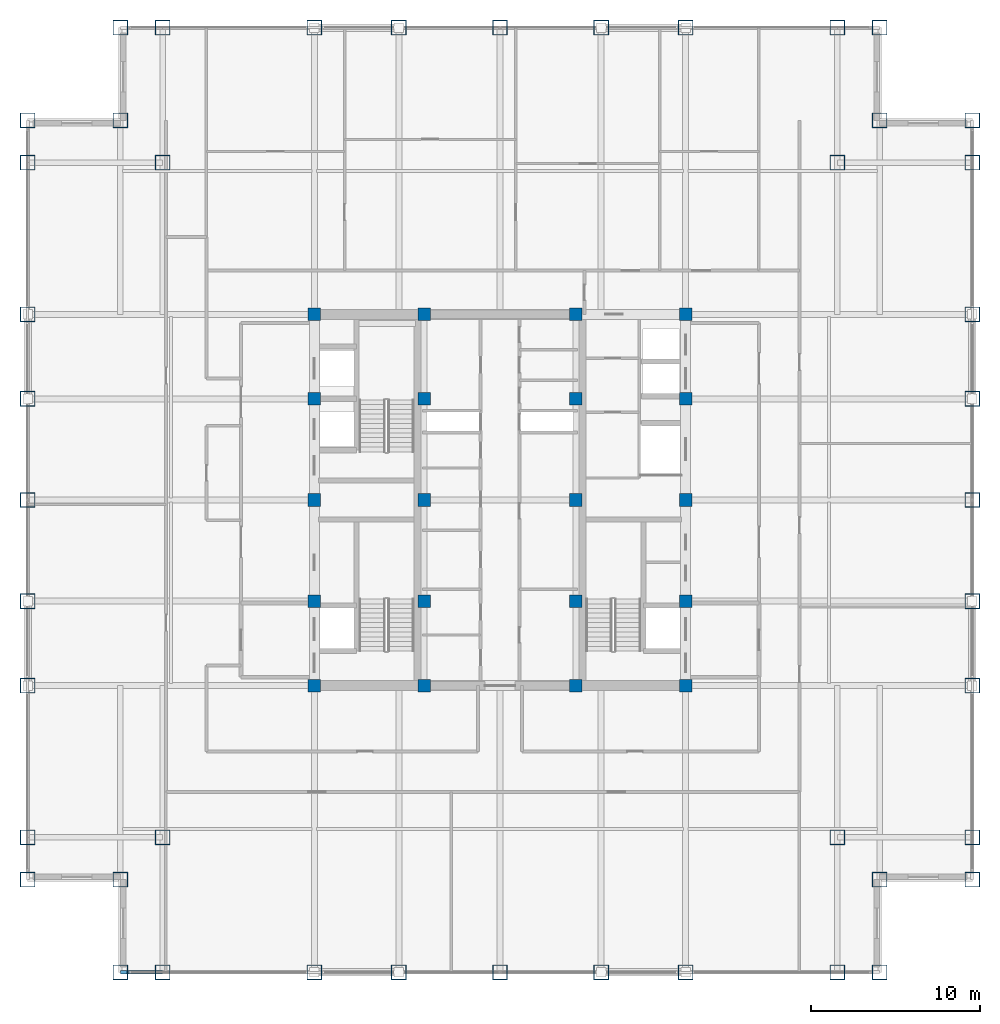
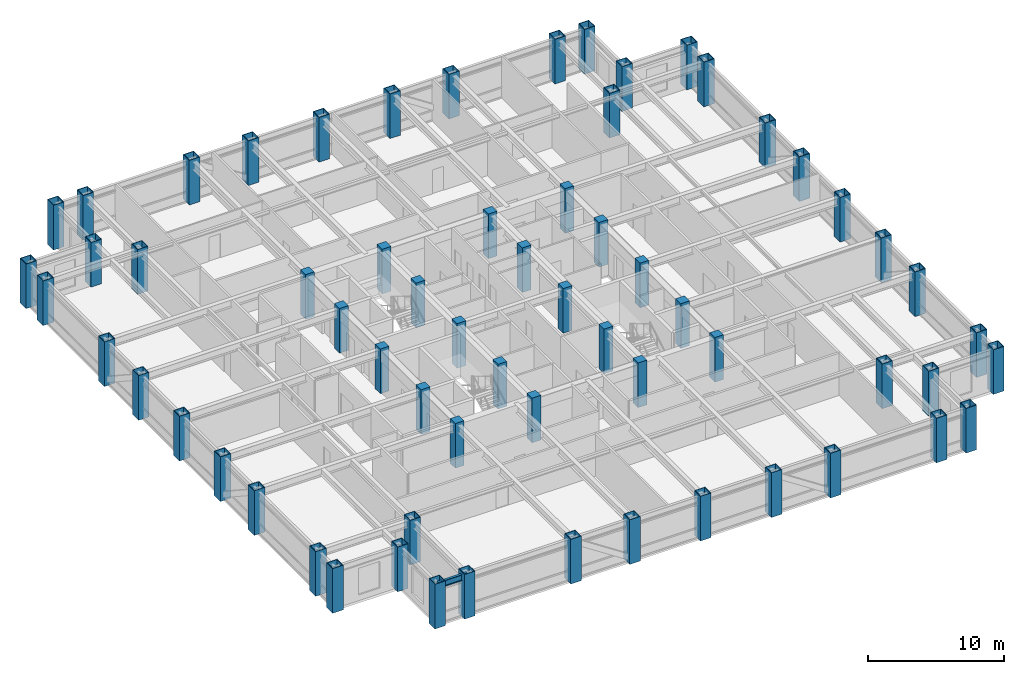
# One storey, part 1 of 22: 64 columns, 1 beam.
"""IFC4 building model written with IfcOpenShell, lengths in metres."""

from ifc_helpers import new_model, si_unit, direction, frame, origin, origin_2d, place, context, subcontext, project, spatial, rectangle, hollow_rectangle, i_section, extrude, source, transform, mapped, material, material_profile, profile_set, type_object, element, save


model = new_model("IFC4")

# Units and contexts
model_context = context("Model", 3, precision=1e-05, world=origin(), true_north=direction((0.0, 1.0)))
body_context = subcontext(model_context, "Body", "Model", "MODEL_VIEW")
ifc_project = project(units=[si_unit("LENGTHUNIT", "METRE"), si_unit("AREAUNIT", "SQUARE_METRE"), si_unit("VOLUMEUNIT", "CUBIC_METRE"), si_unit("PLANEANGLEUNIT", "RADIAN"), si_unit("MASSUNIT", "GRAM", prefix="KILO")], contexts=[model_context])

# Site, building, storey
site_placement = place(None, origin())
site = spatial("IfcSite", under=ifc_project, at=site_placement, CompositionType="ELEMENT")
building_placement = place(site_placement, origin())
building = spatial("IfcBuilding", under=site, at=building_placement, Name="Khorayat Bourse Tower", CompositionType="ELEMENT")
storey_placement = place(building_placement, frame((0.0, 0.0, 305.5)))
storey = spatial("IfcBuildingStorey", under=building, at=storey_placement, Name="L72", CompositionType="ELEMENT", Elevation=305.5)

# Columns
ifc_material_1 = material(Name="Steel EN 10025-4 S460M", Category="steel")
ifc_material_profile_1 = material_profile(ifc_material_1, hollow_rectangle(XDim=0.89990234375, YDim=0.89990234375, WallThickness=0.050048828125, at=origin_2d()), Name="BOX 900x900x50")
ifc_profile_set_1 = profile_set([ifc_material_profile_1], Name="Steel EN 10025-4 S460M")
column_type_1 = type_object("IfcColumnType", Name="COL-TUBE-900", PredefinedType="COLUMN", material=ifc_profile_set_1)
shared_shape_1 = source(origin(), body_context, "Body", "SweptSolid", [
    extrude(hollow_rectangle(XDim=0.89990234375, YDim=0.89990234375, WallThickness=0.050048828125, at=origin_2d()), origin(), (0.0, 0.0, 1.0), 4.0),
])
for number, where, z_axis, x_axis, name in (
    (1, (-28.0, -22.5, 0.0), (0.0, 0.0, 1.0), (1.0, 0.0, 0.0), "L72 Column 001"),
    (2, (-28.0, -20.0, 0.0), (0.0, 0.0, 1.0), (1.0, 0.0, 0.0), "L72 Column 002"),
    (3, (-28.0, -11.0, 0.0), (0.0, 0.0, 1.0), (1.0, 0.0, 0.0), "L72 Column 003"),
    (4, (-28.0, -6.0, 0.0), (0.0, 0.0, 1.0), (1.0, 0.0, 0.0), "L72 Column 004"),
    (5, (-28.0, 0.0, 0.0), (0.0, 0.0, 1.0), (1.0, 0.0, 0.0), "L72 Column 005"),
    (6, (-28.0, 6.0, 0.0), (0.0, 0.0, 1.0), (1.0, 0.0, 0.0), "L72 Column 006"),
    (7, (-28.0, 11.0, 0.0), (0.0, 0.0, 1.0), (1.0, 0.0, 0.0), "L72 Column 007"),
    (8, (-28.0, 20.0, 0.0), (0.0, 0.0, 1.0), (1.0, 0.0, 0.0), "L72 Column 008"),
    (9, (-28.0, 22.5, 0.0), (0.0, 0.0, 1.0), (1.0, 0.0, 0.0), "L72 Column 009"),
    (10, (-22.5, -28.0, 0.0), (0.0, 0.0, 1.0), (1.0, 0.0, 0.0), "L72 Column 010"),
    (11, (-22.5, -22.5, 0.0), (0.0, 0.0, 1.0), (1.0, 0.0, 0.0), "L72 Column 011"),
    (12, (-22.5, 22.5, 0.0), (0.0, 0.0, 1.0), (1.0, 0.0, 0.0), "L72 Column 012"),
    (13, (-22.5, 28.0, 0.0), (0.0, 0.0, 1.0), (1.0, 0.0, 0.0), "L72 Column 013"),
    (14, (-20.0, -28.0, 0.0), (0.0, 0.0, 1.0), (1.0, 0.0, 0.0), "L72 Column 014"),
    (15, (-20.0, -20.0, 0.0), (0.0, 0.0, 1.0), (1.0, 0.0, 0.0), "L72 Column 015"),
    (16, (-20.0, 20.0, 0.0), (0.0, 0.0, 1.0), (1.0, 0.0, 0.0), "L72 Column 016"),
    (17, (-20.0, 28.0, 0.0), (0.0, 0.0, 1.0), (1.0, 0.0, 0.0), "L72 Column 017"),
    (18, (-11.0, -28.0, 0.0), (0.0, 0.0, 1.0), (1.0, 0.0, 0.0), "L72 Column 018"),
    (19, (-11.0, 28.0, 0.0), (0.0, 0.0, 1.0), (1.0, 0.0, 0.0), "L72 Column 024"),
    (20, (-6.0, -28.0, 0.0), (0.0, 0.0, 1.0), (1.0, 0.0, 0.0), "L72 Column 025"),
    (21, (-6.0, 28.0, 0.0), (0.0, 0.0, 1.0), (1.0, 0.0, 0.0), "L72 Column 026"),
    (22, (0.0, -28.0, 0.0), (0.0, 0.0, 1.0), (1.0, 0.0, 0.0), "L72 Column 032"),
    (23, (0.0, 28.0, 0.0), (0.0, 0.0, 1.0), (1.0, 0.0, 0.0), "L72 Column 033"),
    (24, (6.0, -28.0, 0.0), (0.0, 0.0, 1.0), (1.0, 0.0, 0.0), "L72 Column 039"),
    (25, (6.0, 28.0, 0.0), (0.0, 0.0, 1.0), (1.0, 0.0, 0.0), "L72 Column 040"),
    (26, (11.0, -28.0, 0.0), (0.0, 0.0, 1.0), (1.0, 0.0, 0.0), "L72 Column 041"),
    (27, (11.0, 28.0, 0.0), (0.0, 0.0, 1.0), (1.0, 0.0, 0.0), "L72 Column 047"),
    (28, (20.0, -28.0, 0.0), (0.0, 0.0, 1.0), (1.0, 0.0, 0.0), "L72 Column 048"),
    (29, (20.0, -20.0, 0.0), (0.0, 0.0, 1.0), (1.0, 0.0, 0.0), "L72 Column 049"),
    (30, (20.0, 20.0, 0.0), (0.0, 0.0, 1.0), (1.0, 0.0, 0.0), "L72 Column 050"),
    (31, (20.0, 28.0, 0.0), (0.0, 0.0, 1.0), (1.0, 0.0, 0.0), "L72 Column 051"),
    (32, (22.5, -28.0, 0.0), (0.0, 0.0, 1.0), (1.0, 0.0, 0.0), "L72 Column 052"),
    (33, (22.5, -22.5, 0.0), (0.0, 0.0, 1.0), (1.0, 0.0, 0.0), "L72 Column 053"),
    (34, (22.5, 22.5, 0.0), (0.0, 0.0, 1.0), (1.0, 0.0, 0.0), "L72 Column 054"),
    (35, (22.5, 28.0, 0.0), (0.0, 0.0, 1.0), (1.0, 0.0, 0.0), "L72 Column 055"),
    (36, (28.0, -22.5, 0.0), (0.0, 0.0, 1.0), (1.0, 0.0, 0.0), "L72 Column 056"),
    (37, (28.0, -20.0, 0.0), (0.0, 0.0, 1.0), (1.0, 0.0, 0.0), "L72 Column 057"),
    (38, (28.0, -11.0, 0.0), (0.0, 0.0, 1.0), (1.0, 0.0, 0.0), "L72 Column 058"),
    (39, (28.0, -6.0, 0.0), (0.0, 0.0, 1.0), (1.0, 0.0, 0.0), "L72 Column 059"),
    (40, (28.0, 0.0, 0.0), (0.0, 0.0, 1.0), (1.0, 0.0, 0.0), "L72 Column 060"),
    (41, (28.0, 6.0, 0.0), (0.0, 0.0, 1.0), (1.0, 0.0, 0.0), "L72 Column 061"),
    (42, (28.0, 11.0, 0.0), (0.0, 0.0, 1.0), (1.0, 0.0, 0.0), "L72 Column 062"),
    (43, (28.0, 20.0, 0.0), (0.0, 0.0, 1.0), (1.0, 0.0, 0.0), "L72 Column 063"),
    (44, (28.0, 22.5, 0.0), (0.0, 0.0, 1.0), (1.0, 0.0, 0.0), "L72 Column 064"),
):
    element("IfcColumn", number, at=place(storey_placement, frame(where, z_axis=z_axis, x_axis=x_axis)), inside=storey, type_object=column_type_1, Name=name, PredefinedType="COLUMN", context=body_context, shape_type="MappedRepresentation", body=[
        mapped(shared_shape_1, transform((0.0, 0.0, 0.0), scale=1.0)),
    ])
ifc_material_2 = material(Name="Concrete C52/65", Category="concrete")
ifc_material_profile_2 = material_profile(ifc_material_2, rectangle(XDim=0.75, YDim=0.75, at=origin_2d()), Name="RC 750x750")
ifc_profile_set_2 = profile_set([ifc_material_profile_2], Name="Concrete C52/65")
column_type_2 = type_object("IfcColumnType", Name="COL-CORE-750", PredefinedType="COLUMN", material=ifc_profile_set_2)
shared_shape_2 = source(origin(), body_context, "Body", "SweptSolid", [
    extrude(rectangle(XDim=0.75, YDim=0.75, at=origin_2d()), origin(), (0.0, 0.0, 1.0), 4.0),
])
for number, where, z_axis, x_axis, name in (
    (45, (-11.0, -11.0, 0.0), (0.0, 0.0, 1.0), (1.0, 0.0, 0.0), "L72 Column 019"),
    (46, (-11.0, -6.0, 0.0), (0.0, 0.0, 1.0), (1.0, 0.0, 0.0), "L72 Column 020"),
    (47, (-11.0, 0.0, 0.0), (0.0, 0.0, 1.0), (1.0, 0.0, 0.0), "L72 Column 021"),
    (48, (-11.0, 6.0, 0.0), (0.0, 0.0, 1.0), (1.0, 0.0, 0.0), "L72 Column 022"),
    (49, (-11.0, 11.0, 0.0), (0.0, 0.0, 1.0), (1.0, 0.0, 0.0), "L72 Column 023"),
    (50, (-4.5, -11.0, 0.0), (0.0, 0.0, 1.0), (1.0, 0.0, 0.0), "L72 Column 027"),
    (51, (-4.5, -6.0, 0.0), (0.0, 0.0, 1.0), (1.0, 0.0, 0.0), "L72 Column 028"),
    (52, (-4.5, 0.0, 0.0), (0.0, 0.0, 1.0), (1.0, 0.0, 0.0), "L72 Column 029"),
    (53, (-4.5, 6.0, 0.0), (0.0, 0.0, 1.0), (1.0, 0.0, 0.0), "L72 Column 030"),
    (54, (-4.5, 11.0, 0.0), (0.0, 0.0, 1.0), (1.0, 0.0, 0.0), "L72 Column 031"),
    (55, (4.5, -11.0, 0.0), (0.0, 0.0, 1.0), (1.0, 0.0, 0.0), "L72 Column 034"),
    (56, (4.5, -6.0, 0.0), (0.0, 0.0, 1.0), (1.0, 0.0, 0.0), "L72 Column 035"),
    (57, (4.5, 0.0, 0.0), (0.0, 0.0, 1.0), (1.0, 0.0, 0.0), "L72 Column 036"),
    (58, (4.5, 6.0, 0.0), (0.0, 0.0, 1.0), (1.0, 0.0, 0.0), "L72 Column 037"),
    (59, (4.5, 11.0, 0.0), (0.0, 0.0, 1.0), (1.0, 0.0, 0.0), "L72 Column 038"),
    (60, (11.0, -11.0, 0.0), (0.0, 0.0, 1.0), (1.0, 0.0, 0.0), "L72 Column 042"),
    (61, (11.0, -6.0, 0.0), (0.0, 0.0, 1.0), (1.0, 0.0, 0.0), "L72 Column 043"),
    (62, (11.0, 0.0, 0.0), (0.0, 0.0, 1.0), (1.0, 0.0, 0.0), "L72 Column 044"),
    (63, (11.0, 6.0, 0.0), (0.0, 0.0, 1.0), (1.0, 0.0, 0.0), "L72 Column 045"),
    (64, (11.0, 11.0, 0.0), (0.0, 0.0, 1.0), (1.0, 0.0, 0.0), "L72 Column 046"),
):
    element("IfcColumn", number, at=place(storey_placement, frame(where, z_axis=z_axis, x_axis=x_axis)), inside=storey, type_object=column_type_2, Name=name, PredefinedType="COLUMN", context=body_context, shape_type="MappedRepresentation", body=[
        mapped(shared_shape_2, transform((0.0, 0.0, 0.0), scale=1.0)),
    ])

# Beam
ifc_material_3 = material(Name="Steel ASTM A992 Grade 50", Category="steel")
ifc_material_profile_3 = material_profile(ifc_material_3, i_section(OverallWidth=0.214111328125, OverallDepth=0.549072265625, WebThickness=0.0146484375, FlangeThickness=0.023681640625, FilletRadius=0.013916015625, at=origin_2d()), Name="W530X138")
ifc_profile_set_3 = profile_set([ifc_material_profile_3], Name="Steel ASTM A992 Grade 50")
beam_type = type_object("IfcBeamType", Name="BM-SPAN-530", PredefinedType="SPANDREL", material=ifc_profile_set_3)
shared_shape_3 = source(origin(), body_context, "Body", "SweptSolid", [
    extrude(i_section(OverallWidth=0.214111328125, OverallDepth=0.549072265625, WebThickness=0.0146484375, FlangeThickness=0.023681640625, FilletRadius=0.013916015625, at=origin_2d()), origin(), (0.0, 0.0, 1.0), 2.5),
])
beam_placement = place(storey_placement, frame((-22.5, -28.0, 3.505615234375), z_axis=(1.0, 0.0, 0.0), x_axis=(0.0, 1.0, 0.0)))
element("IfcBeam", 65, at=beam_placement, inside=storey, type_object=beam_type, Name="L72 BM-SPAN-530 BM-L72-SPN-024", PredefinedType="SPANDREL", context=body_context, shape_type="MappedRepresentation", body=[
    mapped(shared_shape_3, transform((0.0, 0.0, 0.0), scale=1.0)),
])

save(model, "model.ifc")
